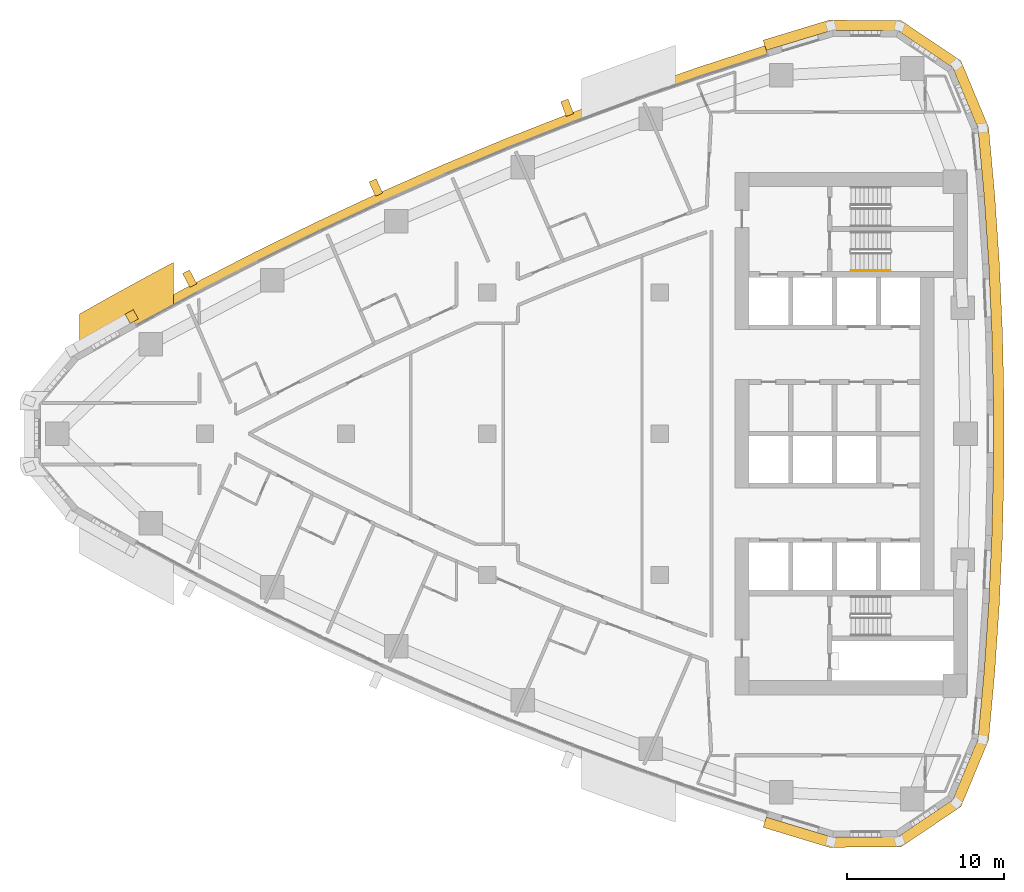
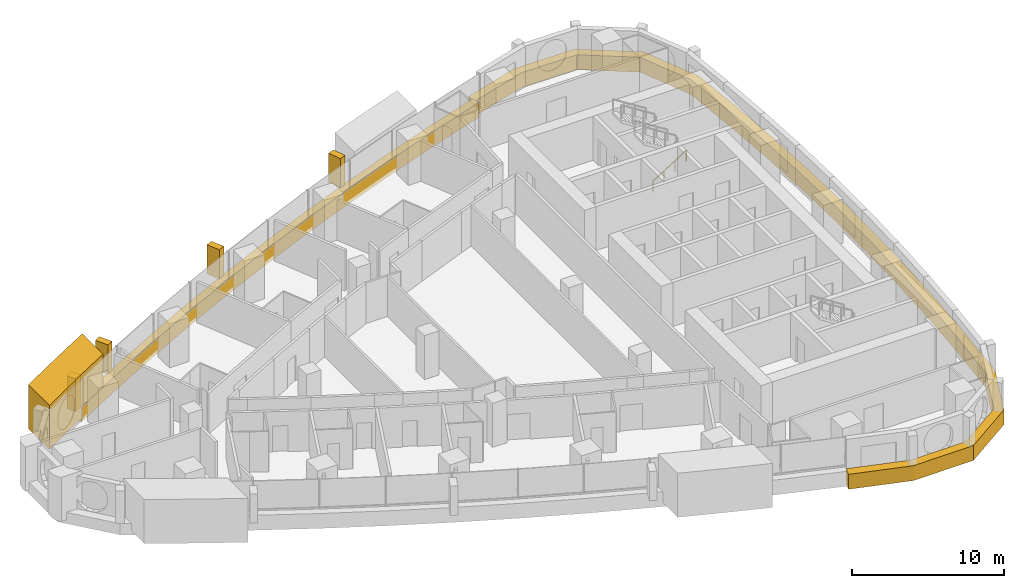
# One storey, part 16 of 17: 7 coverings, 1 railing.
"""IFC4 building model written with IfcOpenShell, lengths in metres."""

from ifc_helpers import new_model, si_unit, direction, frame, frame_2d, origin, origin_2d, place, context, subcontext, project, spatial, polyline, rectangle, circle, outline, extrude, material, layer, layer_set, type_object, element, save


model = new_model("IFC4")

# Units and contexts
model_context = context("Model", 3, precision=1e-05, world=origin(), true_north=direction((0.0, 1.0)))
body_context = subcontext(model_context, "Body", "Model", "MODEL_VIEW")
ifc_project = project(units=[si_unit("LENGTHUNIT", "METRE"), si_unit("AREAUNIT", "SQUARE_METRE"), si_unit("VOLUMEUNIT", "CUBIC_METRE"), si_unit("PLANEANGLEUNIT", "RADIAN"), si_unit("MASSUNIT", "GRAM", prefix="KILO")], contexts=[model_context])

# Site, building, storey
site_placement = place(None, origin())
site = spatial("IfcSite", under=ifc_project, at=site_placement, CompositionType="ELEMENT")
building_placement = place(site_placement, origin())
building = spatial("IfcBuilding", under=site, at=building_placement, Name="Ostrand Prow Hotel Tower", CompositionType="ELEMENT")
storey_placement = place(building_placement, frame((0.0, 0.0, 155.050048828125)))
storey = spatial("IfcBuildingStorey", under=building, at=storey_placement, Name="L38", CompositionType="ELEMENT", Elevation=155.050048828125)

# Coverings
ifc_material_1 = material(Name="Bronze anodised aluminium cladding", Category="aluminium")
ifc_layer_1 = layer(ifc_material_1, 0.60009765625)
ifc_layer_set_1 = layer_set([ifc_layer_1], Name="Bronze anodised aluminium cladding")
covering_type_1 = type_object("IfcCoveringType", Name="Bronze spandrel band 1200x600", PredefinedType="CLADDING", material=ifc_layer_set_1)
covering_1_placement = place(storey_placement, frame((0.0, 0.0, -0.300048828125)))
element("IfcCovering", 1, at=covering_1_placement, inside=storey, type_object=covering_type_1, Name="Spandrel band N1", PredefinedType="CLADDING", context=body_context, shape_type="SweptSolid", body=[
    extrude(outline(polyline([(51.705322265625, 24.74560546875), (47.522705078125, 23.385009765625), (43.368408203125, 21.9404296875), (39.243896484375, 20.41259765625), (35.15087890625, 18.80224609375), (31.091064453125, 17.110107421875), (27.06591796875, 15.336669921875), (23.077392578125, 13.482666015625), (19.126953125, 11.548828125), (15.21630859375, 9.535888671875), (11.3466796875, 7.445068359375), (11.63720703125, 6.920166015625), (15.49609375, 9.00537109375), (19.396240234375, 11.0126953125), (23.335693359375, 12.941162109375), (27.3134765625, 14.7900390625), (31.327392578125, 16.55859375), (35.376220703125, 18.24609375), (39.457763671875, 19.85205078125), (43.571044921875, 21.375732421875), (47.714111328125, 22.81640625), (51.88525390625, 24.17333984375), (51.705322265625, 24.74560546875)])), origin(), (0.0, 0.0, 1.0), 1.199951171875),
])
covering_2_placement = place(storey_placement, frame((0.0, 0.0, -0.300048828125)))
element("IfcCovering", 2, at=covering_2_placement, inside=storey, type_object=covering_type_1, Name="Spandrel band back 1", PredefinedType="CLADDING", context=body_context, shape_type="SweptSolid", body=[
    extrude(outline(polyline([(51.594970703125, -25.0966796875), (55.811279296875, -26.375244140625), (60.402099609375, -26.339111328125), (64.211181640625, -23.77587890625), (65.973388671875, -19.53662109375), (66.3662109375, -15.205322265625), (66.66064453125, -10.86669921875), (66.857177734375, -6.522216796875), (66.95556640625, -2.17431640625), (66.95556640625, 2.17431640625), (66.857177734375, 6.522216796875), (66.66064453125, 10.86669921875), (66.3662109375, 15.205322265625), (65.973388671875, 19.53662109375), (64.211181640625, 23.77587890625), (60.402099609375, 26.339111328125), (55.811279296875, 26.375244140625), (51.594970703125, 25.0966796875), (51.798828125, 24.447998046875), (56.001953125, 25.722412109375), (60.201171875, 25.689697265625), (63.68505859375, 23.34521484375), (65.296875, 19.467529296875), (65.688232421875, 15.151611328125), (65.981689453125, 10.828125), (66.177490234375, 6.4990234375), (66.275634765625, 2.166748046875), (66.275634765625, -2.166748046875), (66.177490234375, -6.4990234375), (65.981689453125, -10.828125), (65.688232421875, -15.151611328125), (65.296875, -19.467529296875), (63.68505859375, -23.34521484375), (60.201171875, -25.689697265625), (56.001953125, -25.722412109375), (51.798828125, -24.447998046875), (51.594970703125, -25.0966796875)])), origin(), (0.0, 0.0, 1.0), 1.199951171875),
])
ifc_material_2 = material(Name="Limestone cladding", Category="masonry")
ifc_layer_2 = layer(ifc_material_2, 5.0)
ifc_layer_set_2 = layer_set([ifc_layer_2], Name="Limestone cladding")
covering_type_2 = type_object("IfcCoveringType", Name="Portal jamb pilaster limestone", PredefinedType="CLADDING", material=ifc_layer_set_2)
covering_3_placement = place(storey_placement, origin())
element("IfcCovering", 3, at=covering_3_placement, inside=storey, type_object=covering_type_2, Name="Portal jamb NA L38", PredefinedType="CLADDING", context=body_context, shape_type="SweptSolid", body=[
    extrude(outline(polyline([(8.0, 4.861572265625), (9.0, 5.436767578125), (10.0, 6.0048828125), (11.0, 6.566162109375), (12.0, 7.12060546875), (13.0, 7.66796875), (14.0, 8.208740234375), (14.0, 10.92919921875), (13.0, 10.39599609375), (12.0, 9.856201171875), (11.0, 9.3095703125), (10.0, 8.75634765625), (9.0, 8.1962890625), (8.0, 7.62939453125), (8.0, 4.861572265625)])), origin(), (0.0, 0.0, 1.0), 3.550048828125),
])
ifc_material_3 = material(Name="Limestone cladding", Category="masonry")
ifc_layer_3 = layer(ifc_material_3, 0.5)
ifc_layer_set_3 = layer_set([ifc_layer_3], Name="Limestone cladding")
covering_type_3 = type_object("IfcCoveringType", Name="Precast stone fin 500x900", PredefinedType="CLADDING", material=ifc_layer_set_3)
covering_4_placement = place(storey_placement, frame((39.279541015625, 20.319091796875, 0.89990234375), z_axis=(0.0, 0.0, 1.0), x_axis=(-0.356868116991, 0.93415477683, 0.0)))
element("IfcCovering", 4, at=covering_4_placement, inside=storey, type_object=covering_type_3, Name="Stone fin N 4", PredefinedType="CLADDING", context=body_context, shape_type="SweptSolid", body=[
    extrude(rectangle(XDim=1.000244140625, YDim=0.5, at=frame_2d((0.5, 0.0))), origin(), (0.0, 0.0, 1.0), 2.35009765625),
])
covering_5_placement = place(storey_placement, frame((27.107177734375, 15.24560546875, 0.89990234375), z_axis=(0.0, 0.0, 1.0), x_axis=(-0.412404328124, 0.911000916654, 0.0)))
element("IfcCovering", 5, at=covering_5_placement, inside=storey, type_object=covering_type_3, Name="Stone fin N 7", PredefinedType="CLADDING", context=body_context, shape_type="SweptSolid", body=[
    extrude(rectangle(XDim=0.999755859375, YDim=0.5, at=frame_2d((0.5, 0.0))), origin(), (0.0, 0.0, 1.0), 2.35009765625),
])
covering_6_placement = place(storey_placement, frame((15.2626953125, 9.447509765625, 0.89990234375), z_axis=(0.0, 0.0, 1.0), x_axis=(-0.466350109869, 0.884600234584, 0.0)))
element("IfcCovering", 6, at=covering_6_placement, inside=storey, type_object=covering_type_3, Name="Stone fin N 10", PredefinedType="CLADDING", context=body_context, shape_type="SweptSolid", body=[
    extrude(rectangle(XDim=1.0, YDim=0.5, at=frame_2d((0.5, 0.0))), origin(), (0.0, 0.0, 1.0), 2.35009765625),
])
ifc_material_4 = material(Name="Limestone cladding", Category="masonry")
ifc_layer_4 = layer(ifc_material_4, 0.60009765625)
ifc_layer_set_4 = layer_set([ifc_layer_4], Name="Limestone cladding")
covering_type_4 = type_object("IfcCoveringType", Name="Precast stone prow rib 600x600", PredefinedType="CLADDING", material=ifc_layer_set_4)
covering_7_placement = place(storey_placement, frame((11.497802734375, 7.171875, 0.599853515625), z_axis=(0.0, 0.0, 1.0), x_axis=(-0.484301161624, 0.874901357211, 0.0)))
element("IfcCovering", 7, at=covering_7_placement, inside=storey, type_object=covering_type_4, Name="Stone prow rib 1", PredefinedType="CLADDING", context=body_context, shape_type="SweptSolid", body=[
    extrude(rectangle(XDim=0.679931640625, YDim=0.60009765625, at=frame_2d((0.33984375, 0.0))), origin(), (0.0, 0.0, 1.0), 2.650146484375),
])

# Railing
ifc_material_5 = material(Name="Stainless steel", Category="steel")
railing_type = type_object("IfcRailingType", Name="Stair handrail 900", PredefinedType="HANDRAIL", material=ifc_material_5)
railing_placement = place(storey_placement, frame((57.199951171875, 10.39990234375, 0.177490234375)))
element("IfcRailing", 8, at=railing_placement, inside=storey, type_object=railing_type, Name="L38 ST1C stair handrail 1", PredefinedType="HANDRAIL", context=body_context, shape_type="SweptSolid", body=[
    extrude(circle(Radius=0.02392578125, at=origin_2d()), frame((0.0, 0.0, 0.8759765625), z_axis=(0.84460694969, 0.0, 0.535386869969), x_axis=(0.0, 1.0, 0.0)), (0.0, 0.0, 1.0), 2.983642578125),
    extrude(circle(Radius=0.02099609375, at=origin_2d()), origin(), (0.0, 0.0, 1.0), 0.851806640625),
    extrude(circle(Radius=0.02099609375, at=origin_2d()), frame((0.840087890625, 0.0, 0.532470703125)), (0.0, 0.0, 1.0), 0.851806640625),
    extrude(circle(Radius=0.02099609375, at=origin_2d()), frame((1.679931640625, 0.0, 1.06494140625)), (0.0, 0.0, 1.0), 0.851806640625),
    extrude(circle(Radius=0.02099609375, at=origin_2d()), frame((2.52001953125, 0.0, 1.597412109375)), (0.0, 0.0, 1.0), 0.851806640625),
])

save(model, "model.ifc")
